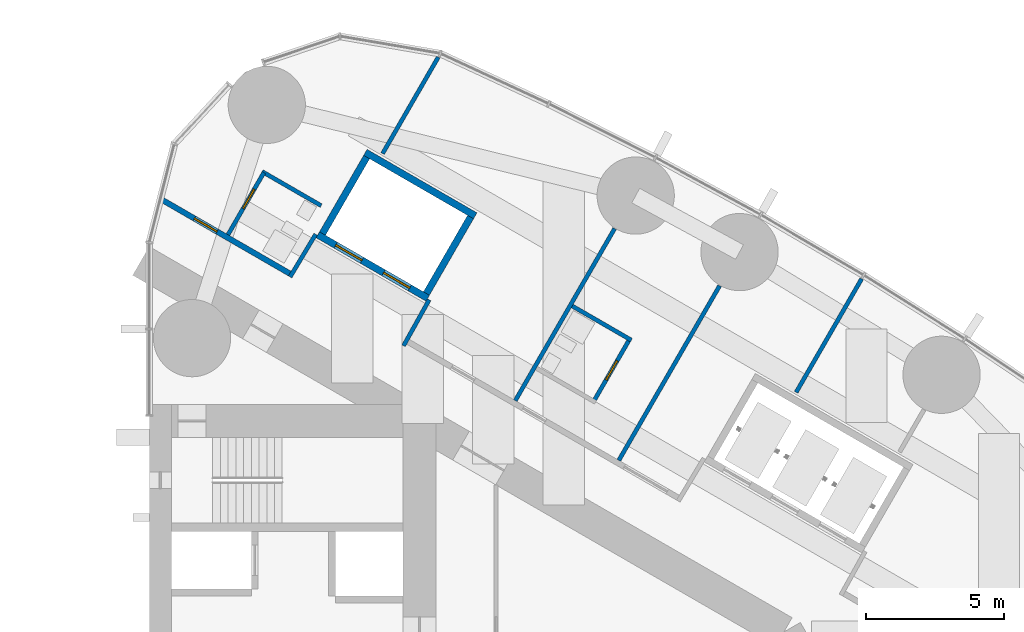
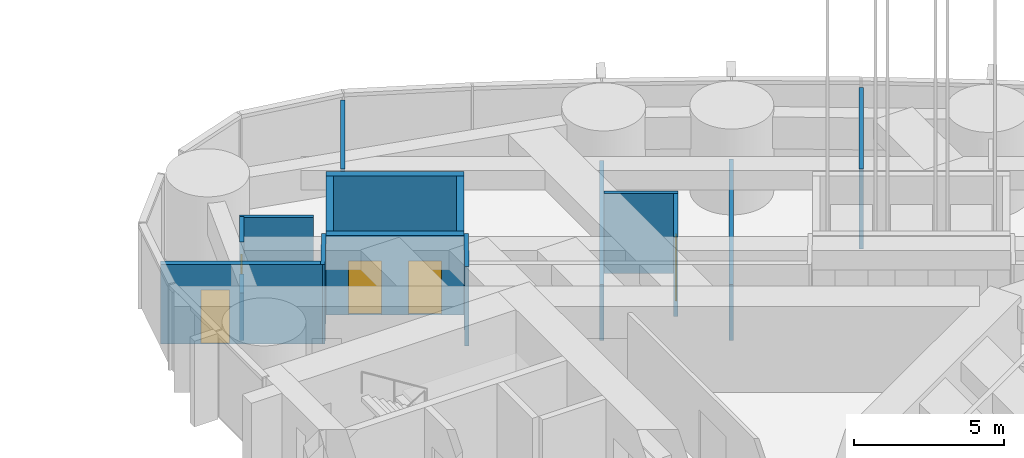
# One storey, part 16 of 21: 16 walls, 5 doors, 5 openings.
"""IFC4 building model written with IfcOpenShell, lengths in metres."""

from ifc_helpers import new_model, si_unit, direction, frame, frame_2d, origin, place, context, subcontext, project, spatial, rectangle, extrude, material, layer, layer_set, type_object, element, fill, save


model = new_model("IFC4")

# Units and contexts
model_context = context("Model", 3, precision=1e-05, world=origin(), true_north=direction((0.0, 1.0)))
body_context = subcontext(model_context, "Body", "Model", "MODEL_VIEW")
ifc_project = project(units=[si_unit("LENGTHUNIT", "METRE"), si_unit("AREAUNIT", "SQUARE_METRE"), si_unit("VOLUMEUNIT", "CUBIC_METRE"), si_unit("PLANEANGLEUNIT", "RADIAN"), si_unit("MASSUNIT", "GRAM", prefix="KILO")], contexts=[model_context])

# Site, building, storey
site_placement = place(None, origin())
site = spatial("IfcSite", under=ifc_project, at=site_placement, CompositionType="ELEMENT")
building_placement = place(site_placement, origin())
building = spatial("IfcBuilding", under=site, at=building_placement, Name="Lancet Gate Hotel", CompositionType="ELEMENT")
storey_placement = place(building_placement, frame((0.0, 0.0, 156.300048828125)))
storey = spatial("IfcBuildingStorey", under=building, at=storey_placement, Name="L41", CompositionType="ELEMENT", Elevation=156.300048828125)

# Wall
ifc_material_1 = material(Name="Moisture resistant board partition")
ifc_layer_1 = layer(ifc_material_1, 0.14990234375)
ifc_layer_set_1 = layer_set([ifc_layer_1], Name="Bathroom wall 150")
wall_type_1 = type_object("IfcWallType", Name="Bathroom wall 150", PredefinedType="PARTITIONING", material=ifc_layer_set_1)
wall_1_placement = place(storey_placement, frame((42.834228515625, 12.16357421875, 0.0), z_axis=(0.0, 0.0, 1.0), x_axis=(0.866031185235, -0.4999899861, 0.0)))
element("IfcWall", 1, at=wall_1_placement, inside=storey, type_object=wall_type_1, Name="T2 bathroom wall 150 L41", PredefinedType="PARTITIONING", context=body_context, shape_type="SweptSolid", body=[
    extrude(rectangle(XDim=2.47509765625, YDim=0.14990234375, at=frame_2d((1.237548828125, 0.0))), origin(), (0.0, 0.0, 1.0), 3.25),
])

# Wall, opening, door
wall_2_placement = place(storey_placement, frame((43.61279296875, 8.7119140625, 0.0), z_axis=(0.0, 0.0, 1.0), x_axis=(0.500006934395, 0.866021400173, 0.0)))
wall_2 = element("IfcWall", 2, at=wall_2_placement, inside=storey, type_object=wall_type_1, Name="T2 bathroom wall 150 L41", PredefinedType="PARTITIONING", context=body_context, shape_type="SweptSolid", body=[
    extrude(rectangle(XDim=2.60009765625, YDim=0.14990234375, at=frame_2d((1.300048828125, 0.0))), origin(), (0.0, 0.0, 1.0), 3.25),
])
opening_1_placement = place(wall_2_placement, frame((0.89990234375, 0.0, 0.0)))
opening_1 = element("IfcOpeningElement", 3, at=opening_1_placement, cuts=wall_2, Name="Opening 4161-B", PredefinedType="OPENING", context=body_context, shape_type="SweptSolid", body=[
    extrude(rectangle(XDim=0.800048828125, YDim=2.199951171875, at=frame_2d((0.39990234375, 1.10009765625))), frame((0.0, 0.0849609375, 0.0), z_axis=(0.0, -1.0, 0.0), x_axis=(1.0, 0.0, 0.0)), (0.0, 0.0, 1.0), 0.169921875),
])
ifc_material_2 = material(Name="Timber door set", Category="wood")
door_type_1 = type_object("IfcDoorType", Name="Bathroom door 800", OperationType="SINGLE_SWING_RIGHT", PredefinedType="DOOR", material=ifc_material_2)
door_1_placement = place(opening_1_placement, origin())
door_1 = element("IfcDoor", 4, at=door_1_placement, inside=storey, type_object=door_type_1, Name="4161-B", OperationType="SINGLE_SWING_RIGHT", OverallHeight=2.199951171875, OverallWidth=0.800048828125, PredefinedType="DOOR", context=body_context, shape_type="SweptSolid", body=[
    extrude(rectangle(XDim=0.800048828125, YDim=2.199951171875, at=frame_2d((0.39990234375, 1.10009765625))), frame((0.0, 0.02490234375, 0.0), z_axis=(0.0, -1.0, 0.0), x_axis=(1.0, 0.0, 0.0)), (0.0, 0.0, 1.0), 0.050048828125),
])
fill(opening_1, door_1)

# Wall
wall_3_placement = place(storey_placement, frame((31.589111328125, 17.03955078125, 0.0), z_axis=(0.0, 0.0, 1.0), x_axis=(0.866006523861, -0.500032699561, 0.0)))
element("IfcWall", 5, at=wall_3_placement, inside=storey, type_object=wall_type_1, Name="T2 bathroom wall 150 L41", PredefinedType="PARTITIONING", context=body_context, shape_type="SweptSolid", body=[
    extrude(rectangle(XDim=2.474853515625, YDim=0.14990234375, at=frame_2d((1.2373046875, 0.0))), origin(), (0.0, 0.0, 1.0), 3.25),
])

# Wall, opening, door
wall_4_placement = place(storey_placement, frame((30.904052734375, 15.702880859375, 0.0), z_axis=(0.0, 0.0, 1.0), x_axis=(0.499990139034, 0.866031096941, 0.0)))
wall_4 = element("IfcWall", 6, at=wall_4_placement, inside=storey, type_object=wall_type_1, Name="T2 bathroom wall 150 L41", PredefinedType="PARTITIONING", context=body_context, shape_type="SweptSolid", body=[
    extrude(rectangle(XDim=1.5, YDim=0.14990234375, at=frame_2d((0.75, 0.0))), origin(), (0.0, 0.0, 1.0), 3.25),
])
opening_2_placement = place(wall_4_placement, origin())
opening_2 = element("IfcOpeningElement", 7, at=opening_2_placement, cuts=wall_4, Name="Opening 4164-B", PredefinedType="OPENING", context=body_context, shape_type="SweptSolid", body=[
    extrude(rectangle(XDim=0.800048828125, YDim=2.199951171875, at=frame_2d((0.39990234375, 1.10009765625))), frame((0.0, 0.0849609375, 0.0), z_axis=(0.0, -1.0, 0.0), x_axis=(1.0, 0.0, 0.0)), (0.0, 0.0, 1.0), 0.169921875),
])
door_2_placement = place(opening_2_placement, origin())
door_2 = element("IfcDoor", 8, at=door_2_placement, inside=storey, type_object=door_type_1, Name="4164-B", OperationType="SINGLE_SWING_RIGHT", OverallHeight=2.199951171875, OverallWidth=0.800048828125, PredefinedType="DOOR", context=body_context, shape_type="SweptSolid", body=[
    extrude(rectangle(XDim=0.800048828125, YDim=2.199951171875, at=frame_2d((0.39990234375, 1.10009765625))), frame((0.0, 0.02490234375, 0.0), z_axis=(0.0, -1.0, 0.0), x_axis=(1.0, 0.0, 0.0)), (0.0, 0.0, 1.0), 0.050048828125),
])
fill(opening_2, door_2)

# Wall
wall_5_placement = place(storey_placement, frame((30.35400390625, 14.750244140625, 0.0), z_axis=(0.0, 0.0, 1.0), x_axis=(0.50002983664, 0.866008176907, 0.0)))
element("IfcWall", 9, at=wall_5_placement, inside=storey, type_object=wall_type_1, Name="T2 bathroom wall 150 L41", PredefinedType="PARTITIONING", context=body_context, shape_type="SweptSolid", body=[
    extrude(rectangle(XDim=1.10009765625, YDim=0.14990234375, at=frame_2d((0.550048828125, 0.0))), origin(), (0.0, 0.0, 1.0), 1.949951171875),
])

# Wall, opening, door
ifc_material_3 = material(Name="Gypsum board partition")
ifc_layer_2 = layer(ifc_material_3, 0.199951171875)
ifc_layer_set_2 = layer_set([ifc_layer_2], Name="Corridor wall 200")
wall_type_2 = type_object("IfcWallType", Name="Corridor wall 200", PredefinedType="PARTITIONING", material=ifc_layer_set_2)
wall_6_placement = place(storey_placement, frame((27.95947265625, 16.017333984375, 0.0), z_axis=(0.0, 0.0, 1.0), x_axis=(0.866028444157, -0.499994733882, 0.0)))
wall_6 = element("IfcWall", 10, at=wall_6_placement, inside=storey, type_object=wall_type_2, Name="T2 corridor wall 200 L41", PredefinedType="PARTITIONING", context=body_context, shape_type="SweptSolid", body=[
    extrude(rectangle(XDim=5.4072265625, YDim=0.199951171875, at=frame_2d((2.70361328125, 0.0))), origin(), (0.0, 0.0, 1.0), 3.25),
])
opening_3_placement = place(wall_6_placement, frame((1.35693359375, 0.0, 0.0)))
opening_3 = element("IfcOpeningElement", 11, at=opening_3_placement, cuts=wall_6, Name="Opening 4164-E", PredefinedType="OPENING", context=body_context, shape_type="SweptSolid", body=[
    extrude(rectangle(XDim=0.949951171875, YDim=2.199951171875, at=frame_2d((0.47509765625, 1.10009765625))), frame((0.0, 0.10986328125, 0.0), z_axis=(0.0, -1.0, 0.0), x_axis=(1.0, 0.0, 0.0)), (0.0, 0.0, 1.0), 0.219970703125),
])
ifc_material_4 = material(Name="Timber door set", Category="wood")
door_type_2 = type_object("IfcDoorType", Name="Guest room entry door 950", OperationType="SINGLE_SWING_LEFT", PredefinedType="DOOR", material=ifc_material_4)
door_3_placement = place(opening_3_placement, origin())
door_3 = element("IfcDoor", 12, at=door_3_placement, inside=storey, type_object=door_type_2, Name="4164-E", OperationType="SINGLE_SWING_LEFT", OverallHeight=2.199951171875, OverallWidth=0.949951171875, PredefinedType="DOOR", context=body_context, shape_type="SweptSolid", body=[
    extrude(rectangle(XDim=0.949951171875, YDim=2.199951171875, at=frame_2d((0.47509765625, 1.10009765625))), frame((0.0, 0.02490234375, 0.0), z_axis=(0.0, -1.0, 0.0), x_axis=(1.0, 0.0, 0.0)), (0.0, 0.0, 1.0), 0.050048828125),
])
fill(opening_3, door_3)

# Wall, openings, doors
ifc_material_5 = material(Name="Gypsum board partition")
ifc_layer_3 = layer(ifc_material_5, 0.25)
ifc_layer_set_3 = layer_set([ifc_layer_3], Name="Lift shaft partition 250")
wall_type_3 = type_object("IfcWallType", Name="Lift shaft partition 250", PredefinedType="PARTITIONING", material=ifc_layer_set_3)
wall_7_placement = place(storey_placement, frame((33.6083984375, 14.747314453125, 0.0), z_axis=(0.0, 0.0, 1.0), x_axis=(0.866043305498, -0.49996899204, 0.0)))
wall_7 = element("IfcWall", 13, at=wall_7_placement, inside=storey, type_object=wall_type_3, Name="T2 lift shaft wall EX L41", PredefinedType="PARTITIONING", context=body_context, shape_type="SweptSolid", body=[
    extrude(rectangle(XDim=4.600341796875, YDim=0.25, at=frame_2d((2.30029296875, 0.0))), origin(), (0.0, 0.0, 1.0), 3.25),
])
opening_4_placement = place(wall_7_placement, frame((0.75, 0.0, 0.0)))
opening_4 = element("IfcOpeningElement", 14, at=opening_4_placement, cuts=wall_7, Name="Opening T2-EX1-L41", PredefinedType="OPENING", context=body_context, shape_type="SweptSolid", body=[
    extrude(rectangle(XDim=1.10009765625, YDim=2.199951171875, at=frame_2d((0.550048828125, 1.10009765625))), frame((0.0, 0.135009765625, 0.0), z_axis=(0.0, -1.0, 0.0), x_axis=(1.0, 0.0, 0.0)), (0.0, 0.0, 1.0), 0.27001953125),
])
opening_5_placement = place(wall_7_placement, frame((2.75, 0.0, 0.0)))
opening_5 = element("IfcOpeningElement", 15, at=opening_5_placement, cuts=wall_7, Name="Opening T2-EX2-L41", PredefinedType="OPENING", context=body_context, shape_type="SweptSolid", body=[
    extrude(rectangle(XDim=1.10009765625, YDim=2.199951171875, at=frame_2d((0.550048828125, 1.10009765625))), frame((0.0, 0.135009765625, 0.0), z_axis=(0.0, -1.0, 0.0), x_axis=(1.0, 0.0, 0.0)), (0.0, 0.0, 1.0), 0.27001953125),
])
ifc_material_6 = material(Name="Steel door set", Category="steel")
door_type_3 = type_object("IfcDoorType", Name="Lift landing door 1100", OperationType="DOUBLE_DOOR_SLIDING", PredefinedType="USERDEFINED", material=ifc_material_6)
door_4_placement = place(opening_4_placement, origin())
door_4 = element("IfcDoor", 16, at=door_4_placement, inside=storey, type_object=door_type_3, Name="T2-EX1-L41", ObjectType="LIFT LANDING DOOR", OperationType="DOUBLE_DOOR_SLIDING", OverallHeight=2.199951171875, OverallWidth=1.10009765625, PredefinedType="USERDEFINED", context=body_context, shape_type="SweptSolid", body=[
    extrude(rectangle(XDim=1.10009765625, YDim=2.199951171875, at=frame_2d((0.550048828125, 1.10009765625))), frame((0.0, 0.02490234375, 0.0), z_axis=(0.0, -1.0, 0.0), x_axis=(1.0, 0.0, 0.0)), (0.0, 0.0, 1.0), 0.050048828125),
])
fill(opening_4, door_4)
door_5_placement = place(opening_5_placement, origin())
door_5 = element("IfcDoor", 17, at=door_5_placement, inside=storey, type_object=door_type_3, Name="T2-EX2-L41", ObjectType="LIFT LANDING DOOR", OperationType="DOUBLE_DOOR_SLIDING", OverallHeight=2.199951171875, OverallWidth=1.10009765625, PredefinedType="USERDEFINED", context=body_context, shape_type="SweptSolid", body=[
    extrude(rectangle(XDim=1.10009765625, YDim=2.199951171875, at=frame_2d((0.550048828125, 1.10009765625))), frame((0.0, 0.02490234375, 0.0), z_axis=(0.0, -1.0, 0.0), x_axis=(1.0, 0.0, 0.0)), (0.0, 0.0, 1.0), 0.050048828125),
])
fill(opening_5, door_5)

# Walls
wall_8_placement = place(storey_placement, frame((35.33349609375, 17.73583984375, 0.0), z_axis=(0.0, 0.0, 1.0), x_axis=(0.866043305498, -0.49996899204, 0.0)))
element("IfcWall", 18, at=wall_8_placement, inside=storey, type_object=wall_type_3, Name="T2 lift shaft wall EX L41", PredefinedType="PARTITIONING", context=body_context, shape_type="SweptSolid", body=[
    extrude(rectangle(XDim=4.600341796875, YDim=0.25, at=frame_2d((2.30029296875, 0.0))), origin(), (0.0, 0.0, 1.0), 3.25),
])
for number, where, z_axis, x_axis, name in (
    (19, (33.779296875, 14.79296875, 0.0), (0.0, 0.0, 1.0), (0.499929347863, 0.866066190972, 0.0), "T2 lift shaft wall EX L41"),
    (20, (37.546630859375, 12.617919921875, 0.0), (0.0, 0.0, 1.0), (0.499929347863, 0.866066190972, 0.0), "T2 lift shaft wall EX L41"),
):
    element("IfcWall", number, at=place(storey_placement, frame(where, z_axis=z_axis, x_axis=x_axis)), inside=storey, type_object=wall_type_3, Name=name, PredefinedType="PARTITIONING", context=body_context, shape_type="SweptSolid", body=[
        extrude(rectangle(XDim=3.20068359375, YDim=0.25, at=frame_2d((1.600341796875, 0.0))), origin(), (0.0, 0.0, 1.0), 3.25),
    ])
ifc_material_7 = material(Name="Gypsum board partition")
ifc_layer_4 = layer(ifc_material_7, 0.14990234375)
ifc_layer_set_4 = layer_set([ifc_layer_4], Name="Party wall 150")
wall_type_4 = type_object("IfcWallType", Name="Party wall 150", PredefinedType="PARTITIONING", material=ifc_layer_set_4)
wall_9_placement = place(storey_placement, frame((40.769287109375, 8.737060546875, 0.0), z_axis=(0.0, 0.0, 1.0), x_axis=(0.500013115284, 0.866017831539, 0.0)))
element("IfcWall", 21, at=wall_9_placement, inside=storey, type_object=wall_type_4, Name="T2 party wall 150 L41", PredefinedType="PARTITIONING", context=body_context, shape_type="SweptSolid", body=[
    extrude(rectangle(XDim=7.197998046875, YDim=0.14990234375, at=frame_2d((3.59912109375, 0.0))), origin(), (0.0, 0.0, 1.0), 2.300048828125),
])
wall_10_placement = place(storey_placement, frame((44.521484375, 6.57080078125, 0.0), z_axis=(0.0, 0.0, 1.0), x_axis=(0.500020376429, 0.866013639128, 0.0)))
element("IfcWall", 22, at=wall_10_placement, inside=storey, type_object=wall_type_4, Name="T2 party wall 150 L41", PredefinedType="PARTITIONING", context=body_context, shape_type="SweptSolid", body=[
    extrude(rectangle(XDim=7.306396484375, YDim=0.14990234375, at=frame_2d((3.6533203125, 0.0))), origin(), (0.0, 0.0, 1.0), 2.300048828125),
])
wall_11_placement = place(storey_placement, frame((35.958740234375, 17.6923828125, 0.0), z_axis=(0.0, 0.0, 1.0), x_axis=(0.499991298838, 0.866030427344, 0.0)))
element("IfcWall", 23, at=wall_11_placement, inside=storey, type_object=wall_type_4, Name="T2 party wall 150 L41", PredefinedType="PARTITIONING", context=body_context, shape_type="SweptSolid", body=[
    extrude(rectangle(XDim=4.03515625, YDim=0.14990234375, at=frame_2d((2.017578125, 0.0))), origin(), (0.0, 0.0, 1.0), 3.25),
])
wall_12_placement = place(storey_placement, frame((50.949951171875, 9.037353515625, 0.0), z_axis=(0.0, 0.0, 1.0), x_axis=(0.499988022762, 0.866032318735, 0.0)))
element("IfcWall", 24, at=wall_12_placement, inside=storey, type_object=wall_type_4, Name="T2 party wall 150 L41", PredefinedType="PARTITIONING", context=body_context, shape_type="SweptSolid", body=[
    extrude(rectangle(XDim=4.748046875, YDim=0.14990234375, at=frame_2d((2.3740234375, 0.0))), origin(), (0.0, 0.0, 1.0), 3.25),
])
ifc_material_8 = material(Name="Gypsum board partition")
ifc_layer_5 = layer(ifc_material_8, 0.14990234375)
ifc_layer_set_5 = layer_set([ifc_layer_5], Name="Service room wall 150")
wall_type_5 = type_object("IfcWallType", Name="Service room wall 150", PredefinedType="PARTITIONING", material=ifc_layer_set_5)
wall_13_placement = place(storey_placement, frame((36.718505859375, 10.723388671875, 0.0), z_axis=(0.0, 0.0, 1.0), x_axis=(0.486348184724, 0.87376509613, 0.0)))
element("IfcWall", 25, at=wall_13_placement, inside=storey, type_object=wall_type_5, Name="T2 service room wall 150 L41", PredefinedType="PARTITIONING", context=body_context, shape_type="SweptSolid", body=[
    extrude(rectangle(XDim=1.91015625, YDim=0.14990234375, at=frame_2d((0.955078125, 0.0))), origin(), (0.0, 0.0, 1.0), 3.25),
])
wall_14_placement = place(storey_placement, frame((33.533447265625, 14.767333984375, 0.0), z_axis=(0.0, 0.0, 1.0), x_axis=(-0.514296815006, -0.857612258585, 0.0)))
element("IfcWall", 26, at=wall_14_placement, inside=storey, type_object=wall_type_5, Name="T2 service room wall 150 L41", PredefinedType="PARTITIONING", context=body_context, shape_type="SweptSolid", body=[
    extrude(rectangle(XDim=1.804931640625, YDim=0.14990234375, at=frame_2d((0.90234375, 0.0))), origin(), (0.0, 0.0, 1.0), 3.25),
])

save(model, "model.ifc")
